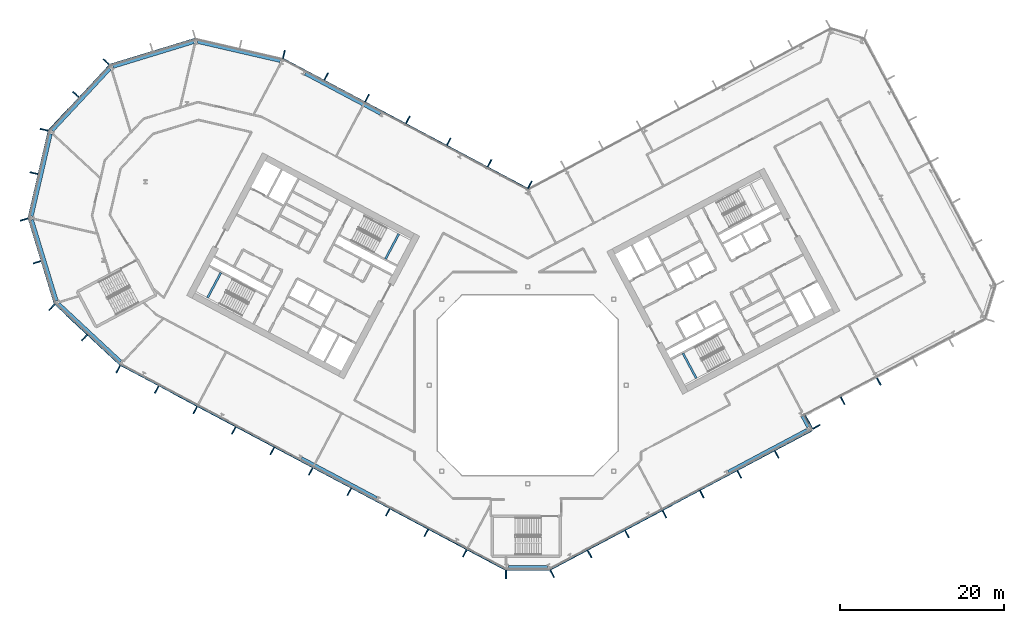
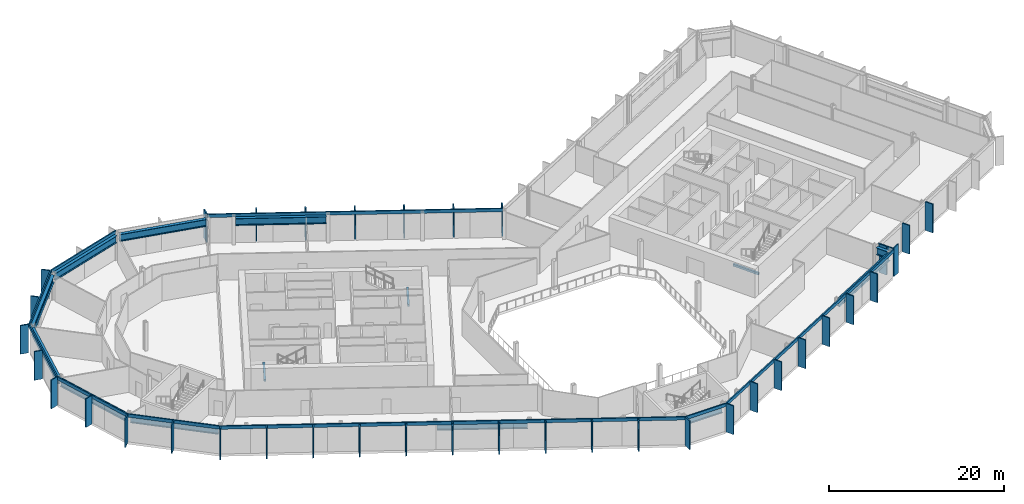
# One storey, part 9 of 28: 47 members, 14 beams, 12 elements without a shape of their own.
"""IFC4 building model written with IfcOpenShell, lengths in metres."""

import ifcopenshell
import ifcopenshell.guid

model = None  # the IFC model being written
_history = None  # IfcOwnerHistory: only IFC2X3 demands one
_inside = {}  # id of a spatial element -> (the spatial element, [elements in it])
_under = {}  # id of a project, library or spatial element -> (it, [spatial elements below it])
_declared = {}  # id of a project -> (the project, [libraries it declares])
_typed = {}  # id of a type object -> (the type object, [elements of that type])
_made_of = {}  # id of a material, layer set ... -> (it, [elements and type objects made of it])


def new_model(schema):
    """Start an empty IFC model of exactly this schema.

    Asked for "IFC4X3", IfcOpenShell would pick the latest addendum, in which some entities
    have other attributes; the version numbers below select the first issue.
    IFC2X3 requires an IfcOwnerHistory on every rooted entity: one is made here for all.
    """
    global model, _history
    if schema == "IFC4X3":
        model = ifcopenshell.file(schema_version=(4, 3, 0, 0))
    else:
        model = ifcopenshell.file(schema=schema)
    _inside.clear()
    _under.clear()
    _declared.clear()
    _typed.clear()
    _made_of.clear()
    _history = None
    if model.schema == "IFC2X3":
        org = make("IfcOrganization", Name="unknown")
        user = make(
            "IfcPersonAndOrganization",
            ThePerson=make("IfcPerson", FamilyName="unknown"),
            TheOrganization=org,
        )
        app = make(
            "IfcApplication",
            ApplicationDeveloper=org,
            Version="unknown",
            ApplicationFullName="unknown",
            ApplicationIdentifier="unknown",
        )
        _history = make(
            "IfcOwnerHistory",
            OwningUser=user,
            OwningApplication=app,
            ChangeAction="ADDED",
            CreationDate=0,
        )
    return model


def make(cls, **values):
    """One entity of the class cls with the attributes given. An attribute that is None is left unset."""
    return model.create_entity(
        cls, **{name: value for name, value in values.items() if value is not None}
    )


def rooted(cls, **values):
    """An entity with a GlobalId (a new one), such as an element, a storey or a relation."""
    return make(cls, GlobalId=ifcopenshell.guid.new(), OwnerHistory=_history, **values)


def si_unit(unit_type, name, prefix=None):
    """IfcSIUnit, for example si_unit("LENGTHUNIT", "METRE", prefix="MILLI")."""
    return make("IfcSIUnit", UnitType=unit_type, Prefix=prefix, Name=name)


def assignment(units):
    """IfcUnitAssignment: the units of a project."""
    return None if units is None else make("IfcUnitAssignment", Units=units)


def point(xyz):
    """IfcCartesianPoint."""
    return None if xyz is None else make("IfcCartesianPoint", Coordinates=xyz)


def direction(xyz):
    """IfcDirection."""
    return None if xyz is None else make("IfcDirection", DirectionRatios=xyz)


def frame(location, z_axis=None, x_axis=None):
    """IfcAxis2Placement3D, a coordinate frame: its origin and axes. An axis left out is left unset."""
    return make(
        "IfcAxis2Placement3D",
        Location=point(location),
        Axis=direction(z_axis),
        RefDirection=direction(x_axis),
    )


def frame_2d(location, x_axis=None):
    """IfcAxis2Placement2D, a coordinate frame in the plane: its origin and x axis."""
    return make(
        "IfcAxis2Placement2D", Location=point(location), RefDirection=direction(x_axis)
    )


def origin():
    """The frame at (0, 0, 0) with its axes left unset."""
    return frame((0.0, 0.0, 0.0))


def origin_2d():
    """The frame at (0, 0) in the plane with its x axis left unset."""
    return frame_2d((0.0, 0.0))


def place(relative_to, where):
    """IfcLocalPlacement: puts the frame where relative to a parent placement (None: the world)."""
    return make(
        "IfcLocalPlacement", PlacementRelTo=relative_to, RelativePlacement=where
    )


def context(
    kind, dimensions, precision=None, world=None, true_north=None, identifier=None
):
    """IfcGeometricRepresentationContext, for example the 3D "Model" context."""
    return make(
        "IfcGeometricRepresentationContext",
        ContextIdentifier=identifier,
        ContextType=kind,
        CoordinateSpaceDimension=dimensions,
        Precision=precision,
        WorldCoordinateSystem=world,
        TrueNorth=true_north,
    )


def subcontext(parent, identifier, kind, view, scale=None):
    """IfcGeometricRepresentationSubContext, for example "Body" below "Model"."""
    return make(
        "IfcGeometricRepresentationSubContext",
        ContextIdentifier=identifier,
        ContextType=kind,
        ParentContext=parent,
        TargetScale=scale,
        TargetView=view,
    )


def project(units=None, contexts=None):
    """IfcProject with its units and contexts."""
    return rooted(
        "IfcProject",
        Name="project",
        RepresentationContexts=contexts,
        UnitsInContext=assignment(units),
    )


def spatial(cls, under=None, at=None, **own):
    """A site, building, storey or space (cls), placed at a placement, below another one or the project."""
    s = rooted(cls, ObjectPlacement=at, **own)
    if under is not None:
        _under.setdefault(under.id(), (under, []))[1].append(s)
    return s


def profile(cls, at=None, kind="AREA", **sizes):
    """A parametric profile (cls). Its sizes go by their IFC names, for example OverallWidth=200.0."""
    return make(cls, ProfileType=kind, Position=at, **sizes)


def rectangle(**sizes):
    """IfcRectangleProfileDef."""
    return profile("IfcRectangleProfileDef", **sizes)


def i_section(**sizes):
    """IfcIShapeProfileDef."""
    return profile("IfcIShapeProfileDef", **sizes)


def extrude(swept, where, along, depth):
    """IfcExtrudedAreaSolid: the profile swept, set in the frame where, extruded along a direction by depth."""
    return make(
        "IfcExtrudedAreaSolid",
        SweptArea=swept,
        Position=where,
        ExtrudedDirection=direction(along),
        Depth=depth,
    )


def shape(context_of_items, identifier, shape_type, items):
    """IfcShapeRepresentation: the items that make up one representation, for example the "Body"."""
    return make(
        "IfcShapeRepresentation",
        ContextOfItems=context_of_items,
        RepresentationIdentifier=identifier,
        RepresentationType=shape_type,
        Items=items,
    )


def material(Name=None, Category=None):
    """IfcMaterial."""
    return make("IfcMaterial", Name=Name, Category=Category)


def layer(
    of_material, thickness, ventilated=None, Name=None, Category=None, Priority=None
):
    """IfcMaterialLayer: one layer of a wall or slab, of a material (None: an air gap)."""
    return make(
        "IfcMaterialLayer",
        Material=of_material,
        LayerThickness=thickness,
        IsVentilated=ventilated,
        Name=Name,
        Category=Category,
        Priority=Priority,
    )


def layer_set(layers, Name=None):
    """IfcMaterialLayerSet."""
    return make("IfcMaterialLayerSet", MaterialLayers=layers, LayerSetName=Name)


def material_profile(
    of_material, cross_section, Name=None, Category=None, Priority=None
):
    """IfcMaterialProfile: a cross section and its material."""
    return make(
        "IfcMaterialProfile",
        Name=Name,
        Material=of_material,
        Profile=cross_section,
        Priority=Priority,
        Category=Category,
    )


def profile_set(profiles, Name=None, composite=None):
    """IfcMaterialProfileSet."""
    return make(
        "IfcMaterialProfileSet",
        Name=Name,
        MaterialProfiles=profiles,
        CompositeProfile=composite,
    )


def made_of(thing, what):
    """Note that an element or type object is made of a material, layer set ...; save() writes the relation."""
    if what is not None:
        _made_of.setdefault(what.id(), (what, []))[1].append(thing)
    return thing


def type_object(cls, material=None, **own):
    """A type object (cls), such as IfcWallType, which elements share."""
    return made_of(rooted(cls, **own), material)


def element(
    cls,
    number,
    at=None,
    inside=None,
    cuts=None,
    type_object=None,
    material=None,
    context=None,
    identifier="Body",
    shape_type=None,
    held_by="IfcProductDefinitionShape",
    body=None,
    shapes=None,
    **own,
):
    """One element of the class cls, such as IfcWall. Its Tag is "e" and its number.

    at: its placement. inside: the storey or other place that contains it. cuts: it is an
    opening in that element (IfcRelVoidsElement). A single representation is given by context,
    identifier, shape_type and body (its items); several are given by shapes. held_by: the class
    of the entity that holds the representations. save() writes the other relations.
    """
    e = rooted(cls, Tag="e%d" % number, ObjectPlacement=at, **own)
    if body is not None:
        shapes = [shape(context, identifier, shape_type, body)]
    if shapes is not None:
        e.Representation = make(held_by, Representations=shapes)
    if inside is not None:
        _inside.setdefault(inside.id(), (inside, []))[1].append(e)
    if cuts is not None:
        rooted(
            "IfcRelVoidsElement", RelatingBuildingElement=cuts, RelatedOpeningElement=e
        )
    if type_object is not None:
        _typed.setdefault(type_object.id(), (type_object, []))[1].append(e)
    return made_of(e, material)


def aggregate(whole, parts):
    """IfcRelAggregates: a whole, such as a stair, and the parts it consists of."""
    return rooted("IfcRelAggregates", RelatingObject=whole, RelatedObjects=parts)


def save(model, path):
    """Write the relations noted so far, then the file.

    IfcRelAggregates (storeys below a building ...), IfcRelContainedInSpatialStructure (elements
    in a storey), IfcRelDefinesByType, IfcRelAssociatesMaterial and IfcRelDeclares: one each for
    every whole, place, type object, material and project.
    """
    for whole, parts in _under.values():
        aggregate(whole, parts)
    for where, things in _inside.values():
        rooted(
            "IfcRelContainedInSpatialStructure",
            RelatedElements=things,
            RelatingStructure=where,
        )
    for kind, things in _typed.values():
        rooted("IfcRelDefinesByType", RelatedObjects=things, RelatingType=kind)
    for what, things in _made_of.values():
        rooted("IfcRelAssociatesMaterial", RelatedObjects=things, RelatingMaterial=what)
    for by, libraries in _declared.values():
        rooted("IfcRelDeclares", RelatingContext=by, RelatedDefinitions=libraries)
    model.write(path)


model = new_model("IFC4")

# Units and contexts
model_context = context("Model", 3, precision=1e-05, world=origin(), true_north=direction((0.0, 1.0)))
body_context = subcontext(model_context, "Body", "Model", "MODEL_VIEW")
ifc_project = project(units=[si_unit("LENGTHUNIT", "METRE"), si_unit("AREAUNIT", "SQUARE_METRE"), si_unit("VOLUMEUNIT", "CUBIC_METRE"), si_unit("PLANEANGLEUNIT", "RADIAN"), si_unit("MASSUNIT", "GRAM", prefix="KILO")], contexts=[model_context])

# Site, building, storey
site_placement = place(None, origin())
site = spatial("IfcSite", under=ifc_project, at=site_placement, CompositionType="ELEMENT")
building_placement = place(site_placement, origin())
building = spatial("IfcBuilding", under=site, at=building_placement, Name="Cormorant Relay Tower", CompositionType="ELEMENT")
storey_placement = place(building_placement, frame((0.0, 0.0, 126.199951171875)))
storey = spatial("IfcBuildingStorey", under=building, at=storey_placement, Name="L25", CompositionType="ELEMENT", Elevation=126.199951171875)

# Curtain wall, member
ifc_material_1 = material(Name="Aluminium 6063-T6 anodised bronze", Category="aluminium")
ifc_layer = layer(ifc_material_1, 0.199951171875)
ifc_layer_set = layer_set([ifc_layer], Name="CW1 unitised bronze curtain wall with vertical fins")
curtain_wall_type = type_object("IfcCurtainWallType", Name="CW1 unitised bronze curtain wall with vertical fins", PredefinedType="NOTDEFINED", material=ifc_layer_set)
curtain_wall_1_placement = place(storey_placement, origin())
curtain_wall_1 = element("IfcCurtainWall", 1, at=curtain_wall_1_placement, inside=storey, type_object=curtain_wall_type, Name="CW1 curtain wall 1", PredefinedType="NOTDEFINED")
ifc_material_2 = material(Name="Aluminium 6063-T6 anodised bronze", Category="aluminium")
ifc_material_profile_1 = material_profile(ifc_material_2, rectangle(XDim=0.14990234375, YDim=1.0, at=origin_2d()), Name="AL 150x1000")
ifc_profile_set_1 = profile_set([ifc_material_profile_1], Name="Aluminium 6063-T6 anodised bronze")
member_type_1 = type_object("IfcMemberType", Name="CW1 bronze fin mullion 150 x 1000", PredefinedType="MULLION", material=ifc_profile_set_1)
member_1_placement = place(storey_placement, frame((-2.648681640625, -23.07568359375, 0.0), z_axis=(0.0, 0.0, 1.0), x_axis=(1.0, 0.0, 0.0)))
member_1 = element("IfcMember", 2, at=member_1_placement, type_object=member_type_1, Name="CW1 fin 1.1", PredefinedType="MULLION", context=body_context, shape_type="SweptSolid", body=[
    extrude(rectangle(XDim=0.14990234375, YDim=1.0, at=origin_2d()), origin(), (0.0, 0.0, 1.0), 4.0),
])

# Curtain wall, members
curtain_wall_2_placement = place(storey_placement, origin())
curtain_wall_2 = element("IfcCurtainWall", 3, at=curtain_wall_2_placement, inside=storey, type_object=curtain_wall_type, Name="CW1 curtain wall 2", PredefinedType="NOTDEFINED")
member_2_placement = place(storey_placement, frame((2.9775390625, -22.99365234375, 0.0), z_axis=(0.0, 0.0, 1.0), x_axis=(0.882947592859, 0.469471562786, 0.0)))
member_2 = element("IfcMember", 4, at=member_2_placement, type_object=member_type_1, Name="CW1 fin 2.1", PredefinedType="MULLION", context=body_context, shape_type="SweptSolid", body=[
    extrude(rectangle(XDim=0.14990234375, YDim=1.0, at=origin_2d()), origin(), (0.0, 0.0, 1.0), 4.0),
])
member_3_placement = place(storey_placement, frame((7.539306640625, -20.568115234375, 0.0), z_axis=(0.0, 0.0, 1.0), x_axis=(0.882947592859, 0.469471562786, 0.0)))
member_3 = element("IfcMember", 5, at=member_3_placement, type_object=member_type_1, Name="CW1 fin 2.2", PredefinedType="MULLION", context=body_context, shape_type="SweptSolid", body=[
    extrude(rectangle(XDim=0.14990234375, YDim=1.0, at=origin_2d()), origin(), (0.0, 0.0, 1.0), 4.0),
])
member_4_placement = place(storey_placement, frame((12.10107421875, -18.142578125, 0.0), z_axis=(0.0, 0.0, 1.0), x_axis=(0.882947592859, 0.469471562786, 0.0)))
member_4 = element("IfcMember", 6, at=member_4_placement, type_object=member_type_1, Name="CW1 fin 2.3", PredefinedType="MULLION", context=body_context, shape_type="SweptSolid", body=[
    extrude(rectangle(XDim=0.14990234375, YDim=1.0, at=origin_2d()), origin(), (0.0, 0.0, 1.0), 4.0),
])
member_5_placement = place(storey_placement, frame((16.662841796875, -15.717041015625, 0.0), z_axis=(0.0, 0.0, 1.0), x_axis=(0.882947592859, 0.469471562786, 0.0)))
member_5 = element("IfcMember", 7, at=member_5_placement, type_object=member_type_1, Name="CW1 fin 2.4", PredefinedType="MULLION", context=body_context, shape_type="SweptSolid", body=[
    extrude(rectangle(XDim=0.14990234375, YDim=1.0, at=origin_2d()), origin(), (0.0, 0.0, 1.0), 4.0),
])
member_6_placement = place(storey_placement, frame((21.224609375, -13.29150390625, 0.0), z_axis=(0.0, 0.0, 1.0), x_axis=(0.882947592859, 0.469471562786, 0.0)))
member_6 = element("IfcMember", 8, at=member_6_placement, type_object=member_type_1, Name="CW1 fin 2.5", PredefinedType="MULLION", context=body_context, shape_type="SweptSolid", body=[
    extrude(rectangle(XDim=0.14990234375, YDim=1.0, at=origin_2d()), origin(), (0.0, 0.0, 1.0), 4.0),
])
member_7_placement = place(storey_placement, frame((25.78662109375, -10.865966796875, 0.0), z_axis=(0.0, 0.0, 1.0), x_axis=(0.882947592859, 0.469471562786, 0.0)))
member_7 = element("IfcMember", 9, at=member_7_placement, type_object=member_type_1, Name="CW1 fin 2.6", PredefinedType="MULLION", context=body_context, shape_type="SweptSolid", body=[
    extrude(rectangle(XDim=0.14990234375, YDim=1.0, at=origin_2d()), origin(), (0.0, 0.0, 1.0), 4.0),
])
member_8_placement = place(storey_placement, frame((30.348388671875, -8.440185546875, 0.0), z_axis=(0.0, 0.0, 1.0), x_axis=(0.882947592859, 0.469471562786, 0.0)))
member_8 = element("IfcMember", 10, at=member_8_placement, type_object=member_type_1, Name="CW1 fin 2.7", PredefinedType="MULLION", context=body_context, shape_type="SweptSolid", body=[
    extrude(rectangle(XDim=0.14990234375, YDim=1.0, at=origin_2d()), origin(), (0.0, 0.0, 1.0), 4.0),
])

# Curtain wall, member
curtain_wall_3_placement = place(storey_placement, origin())
curtain_wall_3 = element("IfcCurtainWall", 11, at=curtain_wall_3_placement, inside=storey, type_object=curtain_wall_type, Name="CW1 curtain wall 3", PredefinedType="NOTDEFINED")
member_9_placement = place(storey_placement, frame((35.199462890625, -5.068115234375, 0.0), z_axis=(0.0, 0.0, 1.0), x_axis=(-0.469471562786, 0.882947592859, 0.0)))
member_9 = element("IfcMember", 12, at=member_9_placement, type_object=member_type_1, Name="CW1 fin 3.1", PredefinedType="MULLION", context=body_context, shape_type="SweptSolid", body=[
    extrude(rectangle(XDim=0.14990234375, YDim=1.0, at=origin_2d()), origin(), (0.0, 0.0, 1.0), 4.0),
])

# Curtain wall, members
curtain_wall_4_placement = place(storey_placement, origin())
curtain_wall_4 = element("IfcCurtainWall", 13, at=curtain_wall_4_placement, inside=storey, type_object=curtain_wall_type, Name="CW1 curtain wall 4", PredefinedType="NOTDEFINED")
member_10_placement = place(storey_placement, frame((34.037353515625, -4.213623046875, 0.0), z_axis=(0.0, 0.0, 1.0), x_axis=(0.882947592859, 0.469471562786, 0.0)))
member_10 = element("IfcMember", 14, at=member_10_placement, type_object=member_type_1, Name="CW1 fin 4.1", PredefinedType="MULLION", context=body_context, shape_type="SweptSolid", body=[
    extrude(rectangle(XDim=0.14990234375, YDim=1.0, at=origin_2d()), origin(), (0.0, 0.0, 1.0), 4.0),
])
member_11_placement = place(storey_placement, frame((38.385986328125, -1.901611328125, 0.0), z_axis=(0.0, 0.0, 1.0), x_axis=(0.882947592859, 0.469471562786, 0.0)))
member_11 = element("IfcMember", 15, at=member_11_placement, type_object=member_type_1, Name="CW1 fin 4.2", PredefinedType="MULLION", context=body_context, shape_type="SweptSolid", body=[
    extrude(rectangle(XDim=0.14990234375, YDim=1.0, at=origin_2d()), origin(), (0.0, 0.0, 1.0), 4.0),
])
member_12_placement = place(storey_placement, frame((42.800537109375, 0.44580078125, 0.0), z_axis=(0.0, 0.0, 1.0), x_axis=(0.882947592859, 0.469471562786, 0.0)))
member_12 = element("IfcMember", 16, at=member_12_placement, type_object=member_type_1, Name="CW1 fin 4.3", PredefinedType="MULLION", context=body_context, shape_type="SweptSolid", body=[
    extrude(rectangle(XDim=0.14990234375, YDim=1.0, at=origin_2d()), origin(), (0.0, 0.0, 1.0), 4.0),
])
aggregate(curtain_wall_4, [member_10, member_11, member_12])

curtain_wall_5_placement = place(storey_placement, origin())
curtain_wall_5 = element("IfcCurtainWall", 17, at=curtain_wall_5_placement, inside=storey, type_object=curtain_wall_type, Name="CW1 curtain wall 9", PredefinedType="NOTDEFINED")
member_13_placement = place(storey_placement, frame((0.262451171875, 24.437255859375, 0.0), z_axis=(0.0, 0.0, 1.0), x_axis=(-0.882947592859, 0.469471562786, 0.0)))
member_13 = element("IfcMember", 18, at=member_13_placement, type_object=member_type_1, Name="CW1 fin 9.1", PredefinedType="MULLION", context=body_context, shape_type="SweptSolid", body=[
    extrude(rectangle(XDim=0.14990234375, YDim=1.0, at=origin_2d()), origin(), (0.0, 0.0, 1.0), 4.0),
])
member_14_placement = place(storey_placement, frame((-4.650390625, 27.04931640625, 0.0), z_axis=(0.0, 0.0, 1.0), x_axis=(-0.882947592859, 0.469471562786, 0.0)))
member_14 = element("IfcMember", 19, at=member_14_placement, type_object=member_type_1, Name="CW1 fin 9.2", PredefinedType="MULLION", context=body_context, shape_type="SweptSolid", body=[
    extrude(rectangle(XDim=0.14990234375, YDim=1.0, at=origin_2d()), origin(), (0.0, 0.0, 1.0), 4.0),
])
member_15_placement = place(storey_placement, frame((-9.62939453125, 29.69677734375, 0.0), z_axis=(0.0, 0.0, 1.0), x_axis=(-0.882947592859, 0.469471562786, 0.0)))
member_15 = element("IfcMember", 20, at=member_15_placement, type_object=member_type_1, Name="CW1 fin 9.3", PredefinedType="MULLION", context=body_context, shape_type="SweptSolid", body=[
    extrude(rectangle(XDim=0.14990234375, YDim=1.0, at=origin_2d()), origin(), (0.0, 0.0, 1.0), 4.0),
])
member_16_placement = place(storey_placement, frame((-14.608154296875, 32.343994140625, 0.0), z_axis=(0.0, 0.0, 1.0), x_axis=(-0.882947592859, 0.469471562786, 0.0)))
member_16 = element("IfcMember", 21, at=member_16_placement, type_object=member_type_1, Name="CW1 fin 9.4", PredefinedType="MULLION", context=body_context, shape_type="SweptSolid", body=[
    extrude(rectangle(XDim=0.14990234375, YDim=1.0, at=origin_2d()), origin(), (0.0, 0.0, 1.0), 4.0),
])
member_17_placement = place(storey_placement, frame((-19.587158203125, 34.991455078125, 0.0), z_axis=(0.0, 0.0, 1.0), x_axis=(-0.882947592859, 0.469471562786, 0.0)))
member_17 = element("IfcMember", 22, at=member_17_placement, type_object=member_type_1, Name="CW1 fin 9.5", PredefinedType="MULLION", context=body_context, shape_type="SweptSolid", body=[
    extrude(rectangle(XDim=0.14990234375, YDim=1.0, at=origin_2d()), origin(), (0.0, 0.0, 1.0), 4.0),
])
member_18_placement = place(storey_placement, frame((-24.566162109375, 37.638916015625, 0.0), z_axis=(0.0, 0.0, 1.0), x_axis=(-0.882947592859, 0.469471562786, 0.0)))
member_18 = element("IfcMember", 23, at=member_18_placement, type_object=member_type_1, Name="CW1 fin 9.6", PredefinedType="MULLION", context=body_context, shape_type="SweptSolid", body=[
    extrude(rectangle(XDim=0.14990234375, YDim=1.0, at=origin_2d()), origin(), (0.0, 0.0, 1.0), 4.0),
])

# Curtain wall, member
curtain_wall_6_placement = place(storey_placement, origin())
curtain_wall_6 = element("IfcCurtainWall", 24, at=curtain_wall_6_placement, inside=storey, type_object=curtain_wall_type, Name="CW1 curtain wall 10", PredefinedType="NOTDEFINED")
member_19_placement = place(storey_placement, frame((-29.71630859375, 40.35009765625, 0.0), z_axis=(0.0, 0.0, 1.0), x_axis=(-0.974370064785, 0.224951054344, 0.0)))
member_19 = element("IfcMember", 25, at=member_19_placement, type_object=member_type_1, Name="CW1 fin 10.1", PredefinedType="MULLION", context=body_context, shape_type="SweptSolid", body=[
    extrude(rectangle(XDim=0.14990234375, YDim=1.0, at=origin_2d()), origin(), (0.0, 0.0, 1.0), 4.0),
])
aggregate(curtain_wall_6, [member_19])

# Curtain wall, members
curtain_wall_7_placement = place(storey_placement, origin())
curtain_wall_7 = element("IfcCurtainWall", 26, at=curtain_wall_7_placement, inside=storey, type_object=curtain_wall_type, Name="CW1 curtain wall 12", PredefinedType="NOTDEFINED")
member_20_placement = place(storey_placement, frame((-51.372802734375, 39.41259765625, 0.0), z_axis=(0.0, 0.0, 1.0), x_axis=(-0.681998360062, -0.731353701619, 0.0)))
member_20 = element("IfcMember", 27, at=member_20_placement, type_object=member_type_1, Name="CW1 fin 12.1", PredefinedType="MULLION", context=body_context, shape_type="SweptSolid", body=[
    extrude(rectangle(XDim=0.14990234375, YDim=1.0, at=origin_2d()), origin(), (0.0, 0.0, 1.0), 4.0),
])
member_21_placement = place(storey_placement, frame((-55.07958984375, 35.4375, 0.0), z_axis=(0.0, 0.0, 1.0), x_axis=(-0.681998360062, -0.731353701619, 0.0)))
member_21 = element("IfcMember", 28, at=member_21_placement, type_object=member_type_1, Name="CW1 fin 12.2", PredefinedType="MULLION", context=body_context, shape_type="SweptSolid", body=[
    extrude(rectangle(XDim=0.14990234375, YDim=1.0, at=origin_2d()), origin(), (0.0, 0.0, 1.0), 4.0),
])

curtain_wall_8_placement = place(storey_placement, origin())
curtain_wall_8 = element("IfcCurtainWall", 29, at=curtain_wall_8_placement, inside=storey, type_object=curtain_wall_type, Name="CW1 curtain wall 13", PredefinedType="NOTDEFINED")
member_22_placement = place(storey_placement, frame((-58.95654296875, 31.142578125, 0.0), z_axis=(0.0, 0.0, 1.0), x_axis=(-0.224951054344, -0.974370064785, 0.0)))
member_22 = element("IfcMember", 30, at=member_22_placement, type_object=member_type_1, Name="CW1 fin 13.1", PredefinedType="MULLION", context=body_context, shape_type="SweptSolid", body=[
    extrude(rectangle(XDim=0.14990234375, YDim=1.0, at=origin_2d()), origin(), (0.0, 0.0, 1.0), 4.0),
])
member_23_placement = place(storey_placement, frame((-60.17919921875, 25.8466796875, 0.0), z_axis=(0.0, 0.0, 1.0), x_axis=(-0.224951054344, -0.974370064785, 0.0)))
member_23 = element("IfcMember", 31, at=member_23_placement, type_object=member_type_1, Name="CW1 fin 13.2", PredefinedType="MULLION", context=body_context, shape_type="SweptSolid", body=[
    extrude(rectangle(XDim=0.14990234375, YDim=1.0, at=origin_2d()), origin(), (0.0, 0.0, 1.0), 4.0),
])

curtain_wall_9_placement = place(storey_placement, origin())
curtain_wall_9 = element("IfcCurtainWall", 32, at=curtain_wall_9_placement, inside=storey, type_object=curtain_wall_type, Name="CW1 curtain wall 14", PredefinedType="NOTDEFINED")
member_24_placement = place(storey_placement, frame((-61.389404296875, 20.188720703125, 0.0), z_axis=(0.0, 0.0, 1.0), x_axis=(0.292371704723, -0.956304755963, 0.0)))
member_24 = element("IfcMember", 33, at=member_24_placement, type_object=member_type_1, Name="CW1 fin 14.1", PredefinedType="MULLION", context=body_context, shape_type="SweptSolid", body=[
    extrude(rectangle(XDim=0.14990234375, YDim=1.0, at=origin_2d()), origin(), (0.0, 0.0, 1.0), 4.0),
])
member_25_placement = place(storey_placement, frame((-59.80029296875, 14.990966796875, 0.0), z_axis=(0.0, 0.0, 1.0), x_axis=(0.292371704723, -0.956304755963, 0.0)))
member_25 = element("IfcMember", 34, at=member_25_placement, type_object=member_type_1, Name="CW1 fin 14.2", PredefinedType="MULLION", context=body_context, shape_type="SweptSolid", body=[
    extrude(rectangle(XDim=0.14990234375, YDim=1.0, at=origin_2d()), origin(), (0.0, 0.0, 1.0), 4.0),
])

curtain_wall_10_placement = place(storey_placement, origin())
curtain_wall_10 = element("IfcCurtainWall", 35, at=curtain_wall_10_placement, inside=storey, type_object=curtain_wall_type, Name="CW1 curtain wall 15", PredefinedType="NOTDEFINED")
member_26_placement = place(storey_placement, frame((-58.01904296875, 9.486083984375, 0.0), z_axis=(0.0, 0.0, 1.0), x_axis=(0.731353701619, -0.681998360062, 0.0)))
member_26 = element("IfcMember", 36, at=member_26_placement, type_object=member_type_1, Name="CW1 fin 15.1", PredefinedType="MULLION", context=body_context, shape_type="SweptSolid", body=[
    extrude(rectangle(XDim=0.14990234375, YDim=1.0, at=origin_2d()), origin(), (0.0, 0.0, 1.0), 4.0),
])
member_27_placement = place(storey_placement, frame((-54.0439453125, 5.779296875, 0.0), z_axis=(0.0, 0.0, 1.0), x_axis=(0.731353701619, -0.681998360062, 0.0)))
member_27 = element("IfcMember", 37, at=member_27_placement, type_object=member_type_1, Name="CW1 fin 15.2", PredefinedType="MULLION", context=body_context, shape_type="SweptSolid", body=[
    extrude(rectangle(XDim=0.14990234375, YDim=1.0, at=origin_2d()), origin(), (0.0, 0.0, 1.0), 4.0),
])

curtain_wall_11_placement = place(storey_placement, origin())
curtain_wall_11 = element("IfcCurtainWall", 38, at=curtain_wall_11_placement, inside=storey, type_object=curtain_wall_type, Name="CW1 curtain wall 16", PredefinedType="NOTDEFINED")
member_28_placement = place(storey_placement, frame((-49.920166015625, 1.96630859375, 0.0), z_axis=(0.0, 0.0, 1.0), x_axis=(0.882947592859, -0.469471562786, 0.0)))
member_28 = element("IfcMember", 39, at=member_28_placement, type_object=member_type_1, Name="CW1 fin 16.1", PredefinedType="MULLION", context=body_context, shape_type="SweptSolid", body=[
    extrude(rectangle(XDim=0.14990234375, YDim=1.0, at=origin_2d()), origin(), (0.0, 0.0, 1.0), 4.0),
])
member_29_placement = place(storey_placement, frame((-45.225830078125, -0.52978515625, 0.0), z_axis=(0.0, 0.0, 1.0), x_axis=(0.882947592859, -0.469471562786, 0.0)))
member_29 = element("IfcMember", 40, at=member_29_placement, type_object=member_type_1, Name="CW1 fin 16.2", PredefinedType="MULLION", context=body_context, shape_type="SweptSolid", body=[
    extrude(rectangle(XDim=0.14990234375, YDim=1.0, at=origin_2d()), origin(), (0.0, 0.0, 1.0), 4.0),
])
member_30_placement = place(storey_placement, frame((-40.531494140625, -3.025634765625, 0.0), z_axis=(0.0, 0.0, 1.0), x_axis=(0.882947592859, -0.469471562786, 0.0)))
member_30 = element("IfcMember", 41, at=member_30_placement, type_object=member_type_1, Name="CW1 fin 16.3", PredefinedType="MULLION", context=body_context, shape_type="SweptSolid", body=[
    extrude(rectangle(XDim=0.14990234375, YDim=1.0, at=origin_2d()), origin(), (0.0, 0.0, 1.0), 4.0),
])
member_31_placement = place(storey_placement, frame((-35.83740234375, -5.521728515625, 0.0), z_axis=(0.0, 0.0, 1.0), x_axis=(0.882947592859, -0.469471562786, 0.0)))
member_31 = element("IfcMember", 42, at=member_31_placement, type_object=member_type_1, Name="CW1 fin 16.4", PredefinedType="MULLION", context=body_context, shape_type="SweptSolid", body=[
    extrude(rectangle(XDim=0.14990234375, YDim=1.0, at=origin_2d()), origin(), (0.0, 0.0, 1.0), 4.0),
])
member_32_placement = place(storey_placement, frame((-31.14306640625, -8.017578125, 0.0), z_axis=(0.0, 0.0, 1.0), x_axis=(0.882947592859, -0.469471562786, 0.0)))
member_32 = element("IfcMember", 43, at=member_32_placement, type_object=member_type_1, Name="CW1 fin 16.5", PredefinedType="MULLION", context=body_context, shape_type="SweptSolid", body=[
    extrude(rectangle(XDim=0.14990234375, YDim=1.0, at=origin_2d()), origin(), (0.0, 0.0, 1.0), 4.0),
])
member_33_placement = place(storey_placement, frame((-26.44873046875, -10.513671875, 0.0), z_axis=(0.0, 0.0, 1.0), x_axis=(0.882947592859, -0.469471562786, 0.0)))
member_33 = element("IfcMember", 44, at=member_33_placement, type_object=member_type_1, Name="CW1 fin 16.6", PredefinedType="MULLION", context=body_context, shape_type="SweptSolid", body=[
    extrude(rectangle(XDim=0.14990234375, YDim=1.0, at=origin_2d()), origin(), (0.0, 0.0, 1.0), 4.0),
])
member_34_placement = place(storey_placement, frame((-21.754638671875, -13.009765625, 0.0), z_axis=(0.0, 0.0, 1.0), x_axis=(0.882947592859, -0.469471562786, 0.0)))
member_34 = element("IfcMember", 45, at=member_34_placement, type_object=member_type_1, Name="CW1 fin 16.7", PredefinedType="MULLION", context=body_context, shape_type="SweptSolid", body=[
    extrude(rectangle(XDim=0.14990234375, YDim=1.0, at=origin_2d()), origin(), (0.0, 0.0, 1.0), 4.0),
])
member_35_placement = place(storey_placement, frame((-17.060302734375, -15.505615234375, 0.0), z_axis=(0.0, 0.0, 1.0), x_axis=(0.882947592859, -0.469471562786, 0.0)))
member_35 = element("IfcMember", 46, at=member_35_placement, type_object=member_type_1, Name="CW1 fin 16.8", PredefinedType="MULLION", context=body_context, shape_type="SweptSolid", body=[
    extrude(rectangle(XDim=0.14990234375, YDim=1.0, at=origin_2d()), origin(), (0.0, 0.0, 1.0), 4.0),
])
member_36_placement = place(storey_placement, frame((-12.365966796875, -18.001708984375, 0.0), z_axis=(0.0, 0.0, 1.0), x_axis=(0.882947592859, -0.469471562786, 0.0)))
member_36 = element("IfcMember", 47, at=member_36_placement, type_object=member_type_1, Name="CW1 fin 16.9", PredefinedType="MULLION", context=body_context, shape_type="SweptSolid", body=[
    extrude(rectangle(XDim=0.14990234375, YDim=1.0, at=origin_2d()), origin(), (0.0, 0.0, 1.0), 4.0),
])
member_37_placement = place(storey_placement, frame((-7.671630859375, -20.49755859375, 0.0), z_axis=(0.0, 0.0, 1.0), x_axis=(0.882947592859, -0.469471562786, 0.0)))
member_37 = element("IfcMember", 48, at=member_37_placement, type_object=member_type_1, Name="CW1 fin 16.10", PredefinedType="MULLION", context=body_context, shape_type="SweptSolid", body=[
    extrude(rectangle(XDim=0.14990234375, YDim=1.0, at=origin_2d()), origin(), (0.0, 0.0, 1.0), 4.0),
])

# Member
ifc_material_3 = material(Name="Aluminium 6063-T6 anodised bronze", Category="aluminium")
ifc_material_profile_2 = material_profile(ifc_material_3, rectangle(XDim=0.159912109375, YDim=0.449951171875, at=origin_2d()), Name="AL 160x450")
ifc_profile_set_2 = profile_set([ifc_material_profile_2], Name="Aluminium 6063-T6 anodised bronze")
member_type_2 = type_object("IfcMemberType", Name="CW1 bronze transom 160 x 450", PredefinedType="USERDEFINED", material=ifc_profile_set_2)
member_38_placement = place(storey_placement, frame((-2.648681640625, -22.49560546875, 3.775146484375), z_axis=(1.0, 0.0, 0.0), x_axis=(0.0, 1.0, 0.0)))
member_38 = element("IfcMember", 49, at=member_38_placement, type_object=member_type_2, Name="CW1 transom 1", ObjectType="TRANSOM", PredefinedType="USERDEFINED", context=body_context, shape_type="SweptSolid", body=[
    extrude(rectangle(XDim=0.159912109375, YDim=0.449951171875, at=origin_2d()), origin(), (0.0, 0.0, 1.0), 5.29736328125),
])

aggregate(curtain_wall_1, [member_1, member_38])

member_39_placement = place(storey_placement, frame((2.705078125, -22.4814453125, 3.775146484375), z_axis=(0.882948899141, 0.469469106018, 0.0), x_axis=(-0.469469106018, 0.882948899141, 0.0)))
member_39 = element("IfcMember", 50, at=member_39_placement, type_object=member_type_2, Name="CW1 transom 2", ObjectType="TRANSOM", PredefinedType="USERDEFINED", context=body_context, shape_type="SweptSolid", body=[
    extrude(rectangle(XDim=0.159912109375, YDim=0.449951171875, at=origin_2d()), origin(), (0.0, 0.0, 1.0), 36.165771484375),
])

aggregate(curtain_wall_2, [member_2, member_3, member_4, member_5, member_6, member_7, member_8, member_39])

member_40_placement = place(storey_placement, frame((34.6875, -5.34033203125, 3.775146484375), z_axis=(-0.469580583036, 0.88288961713, 0.0), x_axis=(-0.88288961713, -0.469580583036, 0.0)))
member_40 = element("IfcMember", 51, at=member_40_placement, type_object=member_type_2, Name="CW1 transom 3", ObjectType="TRANSOM", PredefinedType="USERDEFINED", context=body_context, shape_type="SweptSolid", body=[
    extrude(rectangle(XDim=0.159912109375, YDim=0.449951171875, at=origin_2d()), origin(), (0.0, 0.0, 1.0), 2.0),
])

aggregate(curtain_wall_3, [member_9, member_40])

member_41_placement = place(storey_placement, frame((0.056396484375, 23.889892578125, 3.775146484375), z_axis=(-0.882946280328, 0.46947403129, 0.0), x_axis=(-0.46947403129, -0.882946280328, 0.0)))
member_41 = element("IfcMember", 52, at=member_41_placement, type_object=member_type_2, Name="CW1 transom 9", ObjectType="TRANSOM", PredefinedType="USERDEFINED", context=body_context, shape_type="SweptSolid", body=[
    extrude(rectangle(XDim=0.159912109375, YDim=0.449951171875, at=origin_2d()), origin(), (0.0, 0.0, 1.0), 33.834228515625),
])

aggregate(curtain_wall_5, [member_13, member_14, member_15, member_16, member_17, member_18, member_41])

# Curtain wall, member
curtain_wall_12_placement = place(storey_placement, origin())
curtain_wall_12 = element("IfcCurtainWall", 53, at=curtain_wall_12_placement, inside=storey, type_object=curtain_wall_type, Name="CW1 curtain wall 11", PredefinedType="NOTDEFINED")
member_42_placement = place(storey_placement, frame((-40.50048828125, 42.228271484375, 3.775146484375), z_axis=(-0.956304833932, -0.292371449698, 0.0), x_axis=(0.292371449698, -0.956304833932, 0.0)))
member_42 = element("IfcMember", 54, at=member_42_placement, type_object=member_type_2, Name="CW1 transom 11", ObjectType="TRANSOM", PredefinedType="USERDEFINED", context=body_context, shape_type="SweptSolid", body=[
    extrude(rectangle(XDim=0.159912109375, YDim=0.449951171875, at=origin_2d()), origin(), (0.0, 0.0, 1.0), 10.87060546875),
])
aggregate(curtain_wall_12, [member_42])

# Member
member_43_placement = place(storey_placement, frame((-50.94873046875, 39.01708984375, 3.775146484375), z_axis=(-0.681993299437, -0.731358420696, 0.0), x_axis=(0.731358420696, -0.681993299437, 0.0)))
member_43 = element("IfcMember", 55, at=member_43_placement, type_object=member_type_2, Name="CW1 transom 12", ObjectType="TRANSOM", PredefinedType="USERDEFINED", context=body_context, shape_type="SweptSolid", body=[
    extrude(rectangle(XDim=0.159912109375, YDim=0.449951171875, at=origin_2d()), origin(), (0.0, 0.0, 1.0), 10.870361328125),
])

aggregate(curtain_wall_7, [member_20, member_21, member_43])

member_44_placement = place(storey_placement, frame((-58.3916015625, 31.01220703125, 3.775146484375), z_axis=(-0.22495136131, -0.974369993916, 0.0), x_axis=(0.974369993916, -0.22495136131, 0.0)))
member_44 = element("IfcMember", 56, at=member_44_placement, type_object=member_type_2, Name="CW1 transom 13", ObjectType="TRANSOM", PredefinedType="USERDEFINED", context=body_context, shape_type="SweptSolid", body=[
    extrude(rectangle(XDim=0.159912109375, YDim=0.449951171875, at=origin_2d()), origin(), (0.0, 0.0, 1.0), 10.870361328125),
])

aggregate(curtain_wall_8, [member_22, member_23, member_44])

member_45_placement = place(storey_placement, frame((-60.834716796875, 20.358154296875, 3.775146484375), z_axis=(0.292377729282, -0.95630291405, 0.0), x_axis=(0.95630291405, 0.292377729282, 0.0)))
member_45 = element("IfcMember", 57, at=member_45_placement, type_object=member_type_2, Name="CW1 transom 14", ObjectType="TRANSOM", PredefinedType="USERDEFINED", context=body_context, shape_type="SweptSolid", body=[
    extrude(rectangle(XDim=0.159912109375, YDim=0.449951171875, at=origin_2d()), origin(), (0.0, 0.0, 1.0), 10.870361328125),
])

aggregate(curtain_wall_9, [member_24, member_25, member_45])

member_46_placement = place(storey_placement, frame((-57.62353515625, 9.91015625, 3.775146484375), z_axis=(0.731358420696, -0.681993299437, 0.0), x_axis=(0.681993299437, 0.731358420696, 0.0)))
member_46 = element("IfcMember", 58, at=member_46_placement, type_object=member_type_2, Name="CW1 transom 15", ObjectType="TRANSOM", PredefinedType="USERDEFINED", context=body_context, shape_type="SweptSolid", body=[
    extrude(rectangle(XDim=0.159912109375, YDim=0.449951171875, at=origin_2d()), origin(), (0.0, 0.0, 1.0), 10.870361328125),
])

aggregate(curtain_wall_10, [member_26, member_27, member_46])

member_47_placement = place(storey_placement, frame((-49.64794921875, 2.478515625, 3.775146484375), z_axis=(0.882947642542, -0.469471469346, 0.0), x_axis=(0.469471469346, 0.882947642542, 0.0)))
member_47 = element("IfcMember", 59, at=member_47_placement, type_object=member_type_2, Name="CW1 transom 16", ObjectType="TRANSOM", PredefinedType="USERDEFINED", context=body_context, shape_type="SweptSolid", body=[
    extrude(rectangle(XDim=0.159912109375, YDim=0.449951171875, at=origin_2d()), origin(), (0.0, 0.0, 1.0), 53.166015625),
])

aggregate(curtain_wall_11, [member_28, member_29, member_30, member_31, member_32, member_33, member_34, member_35, member_36, member_37, member_47])

# Beams
ifc_material_4 = material(Name="Steel ASTM A992 (Fy 345 MPa)", Category="steel")
ifc_material_profile_3 = material_profile(ifc_material_4, i_section(OverallWidth=0.4013671875, OverallDepth=1.000732421875, WebThickness=0.01904296875, FlangeThickness=0.0361328125, FilletRadius=0.02978515625, at=origin_2d()), Name="W1000x371")
ifc_profile_set_3 = profile_set([ifc_material_profile_3], Name="Steel ASTM A992 (Fy 345 MPa)")
beam_type_1 = type_object("IfcBeamType", Name="Spandrel W1000x371", PredefinedType="SPANDREL", material=ifc_profile_set_3)
beam_1_placement = place(storey_placement, frame((-2.35888671875, -22.1748046875, 3.1396484375), z_axis=(1.0, 0.0, 0.0), x_axis=(0.0, 1.0, 0.0)))
element("IfcBeam", 60, at=beam_1_placement, inside=storey, type_object=beam_type_1, Name="Spandrel beam L25-001", PredefinedType="SPANDREL", context=body_context, shape_type="SweptSolid", body=[
    extrude(i_section(OverallWidth=0.4013671875, OverallDepth=1.000732421875, WebThickness=0.01904296875, FlangeThickness=0.0361328125, FilletRadius=0.02978515625, at=origin_2d()), origin(), (0.0, 0.0, 1.0), 4.748046875),
])
beam_2_placement = place(storey_placement, frame((24.427001953125, -10.568603515625, 3.1396484375), z_axis=(0.88295524081, 0.469457178799, 0.0), x_axis=(-0.469457178799, 0.88295524081, 0.0)))
element("IfcBeam", 61, at=beam_2_placement, inside=storey, type_object=beam_type_1, Name="Spandrel beam L25-002", PredefinedType="SPANDREL", context=body_context, shape_type="SweptSolid", body=[
    extrude(i_section(OverallWidth=0.4013671875, OverallDepth=1.000732421875, WebThickness=0.01904296875, FlangeThickness=0.0361328125, FilletRadius=0.02978515625, at=origin_2d()), origin(), (0.0, 0.0, 1.0), 10.915771484375),
])
beam_3_placement = place(storey_placement, frame((34.191650390625, -5.091064453125, 3.1396484375), z_axis=(-0.469471937736, 0.882947393494, 0.0), x_axis=(-0.882947393494, -0.469471937736, 0.0)))
element("IfcBeam", 62, at=beam_3_placement, inside=storey, type_object=beam_type_1, Name="Spandrel beam L25-003", PredefinedType="SPANDREL", context=body_context, shape_type="SweptSolid", body=[
    extrude(i_section(OverallWidth=0.4013671875, OverallDepth=1.000732421875, WebThickness=0.01904296875, FlangeThickness=0.0361328125, FilletRadius=0.02978515625, at=origin_2d()), origin(), (0.0, 0.0, 1.0), 1.521728515625),
])
beam_4_placement = place(storey_placement, frame((-17.964599609375, 33.108642578125, 3.1396484375), z_axis=(-0.882946180893, 0.469474218299, 0.0), x_axis=(-0.469474218299, -0.882946180893, 0.0)))
element("IfcBeam", 63, at=beam_4_placement, inside=storey, type_object=beam_type_1, Name="Spandrel beam L25-009", PredefinedType="SPANDREL", context=body_context, shape_type="SweptSolid", body=[
    extrude(i_section(OverallWidth=0.4013671875, OverallDepth=1.000732421875, WebThickness=0.01904296875, FlangeThickness=0.0361328125, FilletRadius=0.02978515625, at=origin_2d()), origin(), (0.0, 0.0, 1.0), 10.388671875),
])
beam_5_placement = place(storey_placement, frame((-30.162109375, 39.52880859375, 3.1396484375), z_axis=(-0.974371727644, 0.224943851591, 0.0), x_axis=(-0.224943851591, -0.974371727644, 0.0)))
element("IfcBeam", 64, at=beam_5_placement, inside=storey, type_object=beam_type_1, Name="Spandrel beam L25-010", PredefinedType="SPANDREL", context=body_context, shape_type="SweptSolid", body=[
    extrude(i_section(OverallWidth=0.4013671875, OverallDepth=1.000732421875, WebThickness=0.01904296875, FlangeThickness=0.0361328125, FilletRadius=0.02978515625, at=origin_2d()), origin(), (0.0, 0.0, 1.0), 10.3583984375),
])
beam_6_placement = place(storey_placement, frame((-40.69140625, 41.834716796875, 3.1396484375), z_axis=(-0.95629714744, -0.292396589921, 0.0), x_axis=(0.292396589921, -0.95629714744, 0.0)))
element("IfcBeam", 65, at=beam_6_placement, inside=storey, type_object=beam_type_1, Name="Spandrel beam L25-011", PredefinedType="SPANDREL", context=body_context, shape_type="SweptSolid", body=[
    extrude(i_section(OverallWidth=0.4013671875, OverallDepth=1.000732421875, WebThickness=0.01904296875, FlangeThickness=0.0361328125, FilletRadius=0.02978515625, at=origin_2d()), origin(), (0.0, 0.0, 1.0), 10.31103515625),
])
beam_7_placement = place(storey_placement, frame((-50.917236328125, 38.58056640625, 3.1396484375), z_axis=(-0.682003508788, -0.731348900321, 0.0), x_axis=(0.731348900321, -0.682003508788, 0.0)))
element("IfcBeam", 66, at=beam_7_placement, inside=storey, type_object=beam_type_1, Name="Spandrel beam L25-012", PredefinedType="SPANDREL", context=body_context, shape_type="SweptSolid", body=[
    extrude(i_section(OverallWidth=0.4013671875, OverallDepth=1.000732421875, WebThickness=0.01904296875, FlangeThickness=0.0361328125, FilletRadius=0.02978515625, at=origin_2d()), origin(), (0.0, 0.0, 1.0), 10.310791015625),
])
for number, where, z_axis, x_axis, name in (
    (67, (-58.14599609375, 30.64990234375, 3.1396484375), (-0.224951162328, -0.974370039855, 0.0), (0.974370039855, -0.224951162328, 0.0), "Spandrel beam L25-013"),
    (68, (-60.44091796875, 20.16748046875, 3.1396484375), (0.292366522639, -0.95630634027, 0.0), (0.95630634027, 0.292366522639, 0.0), "Spandrel beam L25-014"),
):
    element("IfcBeam", number, at=place(storey_placement, frame(where, z_axis=z_axis, x_axis=x_axis)), inside=storey, type_object=beam_type_1, Name=name, PredefinedType="SPANDREL", context=body_context, shape_type="SweptSolid", body=[
        extrude(i_section(OverallWidth=0.4013671875, OverallDepth=1.000732421875, WebThickness=0.01904296875, FlangeThickness=0.0361328125, FilletRadius=0.02978515625, at=origin_2d()), origin(), (0.0, 0.0, 1.0), 10.310302734375),
    ])
beam_8_placement = place(storey_placement, frame((-57.1875, 9.94189453125, 3.1396484375), z_axis=(0.731351225545, -0.682001015317, 0.0), x_axis=(0.682001015317, 0.731351225545, 0.0)))
element("IfcBeam", 69, at=beam_8_placement, inside=storey, type_object=beam_type_1, Name="Spandrel beam L25-015", PredefinedType="SPANDREL", context=body_context, shape_type="SweptSolid", body=[
    extrude(i_section(OverallWidth=0.4013671875, OverallDepth=1.000732421875, WebThickness=0.01904296875, FlangeThickness=0.0361328125, FilletRadius=0.02978515625, at=origin_2d()), origin(), (0.0, 0.0, 1.0), 10.33935546875),
])
beam_9_placement = place(storey_placement, frame((-27.595458984375, -8.8837890625, 3.1396484375), z_axis=(0.882941619164, -0.4694827975, 0.0), x_axis=(0.4694827975, 0.882941619164, 0.0)))
element("IfcBeam", 70, at=beam_9_placement, inside=storey, type_object=beam_type_1, Name="Spandrel beam L25-016", PredefinedType="SPANDREL", context=body_context, shape_type="SweptSolid", body=[
    extrude(i_section(OverallWidth=0.4013671875, OverallDepth=1.000732421875, WebThickness=0.01904296875, FlangeThickness=0.0361328125, FilletRadius=0.02978515625, at=origin_2d()), origin(), (0.0, 0.0, 1.0), 10.388916015625),
])
ifc_material_5 = material(Name="Concrete 50 MPa", Category="concrete")
ifc_material_profile_4 = material_profile(ifc_material_5, rectangle(XDim=0.25, YDim=0.300048828125, at=origin_2d()), Name="RC 250x300")
ifc_profile_set_4 = profile_set([ifc_material_profile_4], Name="Concrete 50 MPa")
beam_type_2 = type_object("IfcBeamType", Name="Stair landing ledge beam 250x300", PredefinedType="BEAM", material=ifc_profile_set_4)
for number, where, z_axis, x_axis, name in (
    (71, (-17.338623046875, 15.3916015625, 1.650146484375), (0.469463917486, 0.882951657895, 0.0), (-0.882951657895, 0.469463917486, 0.0), "A1 landing ledge beam"),
    (72, (-37.404052734375, 13.715576171875, 1.650146484375), (-0.469463917486, -0.882951657895, 0.0), (0.882951657895, -0.469463917486, 0.0), "A2 landing ledge beam"),
    (73, (18.924072265625, 3.8896484375, 1.650146484375), (0.469463917486, -0.882951657895, 0.0), (0.882951657895, 0.469463917486, 0.0), "B1 landing ledge beam"),
):
    element("IfcBeam", number, at=place(storey_placement, frame(where, z_axis=z_axis, x_axis=x_axis)), inside=storey, type_object=beam_type_2, Name=name, PredefinedType="BEAM", context=body_context, shape_type="SweptSolid", body=[
        extrude(rectangle(XDim=0.25, YDim=0.300048828125, at=origin_2d()), origin(), (0.0, 0.0, 1.0), 3.449951171875),
    ])

save(model, "model.ifc")
